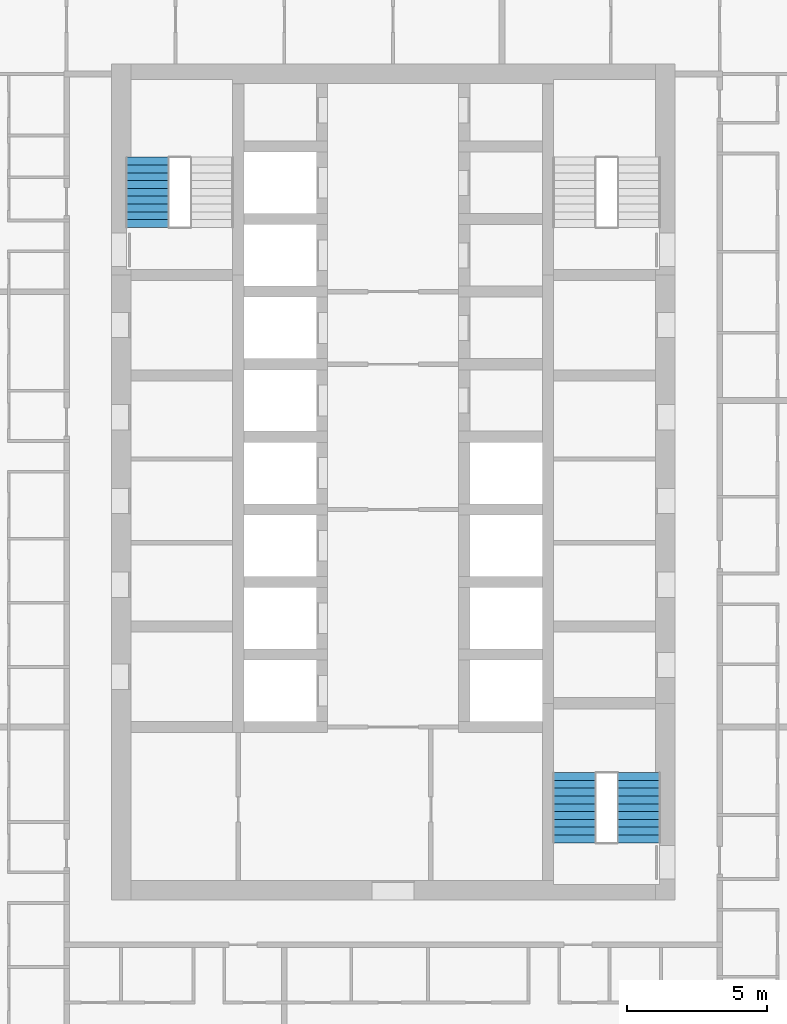
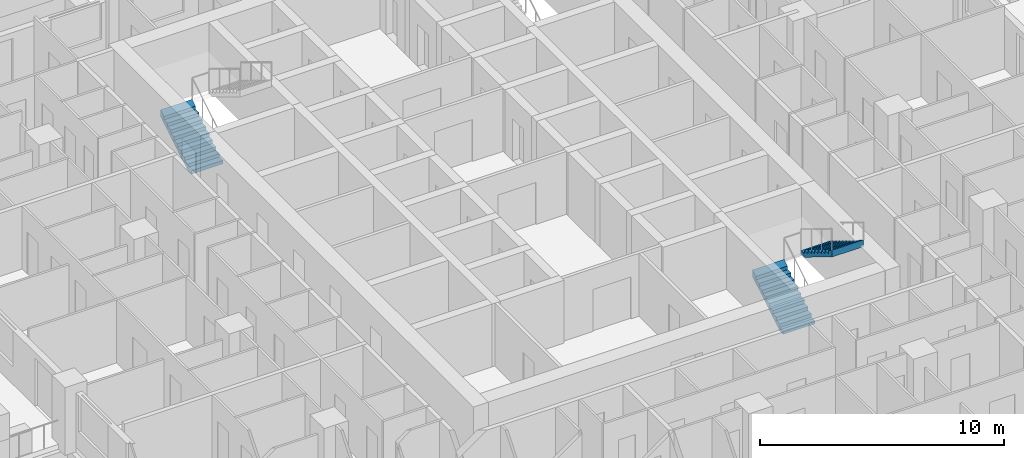
# One storey, part 15 of 18: 3 stair flights, 2 elements without a shape of their own.
"""IFC4 building model written with IfcOpenShell, lengths in metres."""

from ifc_helpers import new_model, si_unit, direction, frame, origin, place, context, subcontext, project, spatial, triangles, material, type_object, element, aggregate, save


model = new_model("IFC4")

# Units and contexts
model_context = context("Model", 3, precision=1e-05, world=origin(), true_north=direction((0.0, 1.0)))
body_context = subcontext(model_context, "Body", "Model", "MODEL_VIEW")
ifc_project = project(units=[si_unit("LENGTHUNIT", "METRE"), si_unit("AREAUNIT", "SQUARE_METRE"), si_unit("VOLUMEUNIT", "CUBIC_METRE"), si_unit("PLANEANGLEUNIT", "RADIAN"), si_unit("MASSUNIT", "GRAM", prefix="KILO")], contexts=[model_context])

# Site, building, storey
site_placement = place(None, origin())
site = spatial("IfcSite", under=ifc_project, at=site_placement, CompositionType="ELEMENT")
building_placement = place(site_placement, origin())
building = spatial("IfcBuilding", under=site, at=building_placement, Name="Ludao Terraces", CompositionType="ELEMENT")
storey_placement = place(building_placement, frame((0.0, 0.0, 29.699951171875)))
storey = spatial("IfcBuildingStorey", under=building, at=storey_placement, Name="L07", CompositionType="ELEMENT", Elevation=29.699951171875)

# Stair, stair flight
ifc_material = material(Name="Concrete C40", Category="concrete")
stair_type = type_object("IfcStairType", Name="INT Stair", PredefinedType="HALF_TURN_STAIR", material=ifc_material)
stair_1_placement = place(storey_placement, origin())
stair_1 = element("IfcStair", 1, at=stair_1_placement, inside=storey, type_object=stair_type, Name="EXIT STAIR 1", PredefinedType="HALF_TURN_STAIR")
stair_flight_type = type_object("IfcStairFlightType", Name="INT Stair flight", PredefinedType="STRAIGHT", material=ifc_material)
stair_flight_1_placement = place(storey_placement, frame((76.199951171875, 79.0, 0.0), z_axis=(0.0, 0.0, 1.0), x_axis=(0.0, 1.0, 0.0)))
stair_flight_1 = element("IfcStairFlight", 2, at=stair_flight_1_placement, type_object=stair_flight_type, Name="ST1 flight 1", NumberOfRisers=10, NumberOfTreads=9, PredefinedType="STRAIGHT", RiserHeight=0.17, TreadLength=0.28, context=body_context, shape_type="Tessellation", body=[
    triangles([(0.0, -0.75, 0.0), (0.0, -0.5, 0.0), (0.0, -0.25, 0.0), (0.0, 0.0, 0.0), (0.0, 0.25, 0.0), (0.0, 0.5, 0.0), (0.0, 0.75, 0.0), (0.0, -0.75, 0.169921875), (0.0, -0.5, 0.169921875), (0.0, -0.25, 0.169921875), (0.0, 0.0, 0.169921875), (0.0, 0.25, 0.169921875), (0.0, 0.5, 0.169921875), (0.0, 0.75, 0.169921875), (0.280029296875, -0.75, 0.169921875), (0.280029296875, -0.5, 0.169921875), (0.280029296875, -0.25, 0.169921875), (0.280029296875, 0.0, 0.169921875), (0.280029296875, 0.25, 0.169921875), (0.280029296875, 0.5, 0.169921875), (0.280029296875, 0.75, 0.169921875), (0.280029296875, -0.75, 0.340087890625), (0.280029296875, -0.5, 0.340087890625), (0.280029296875, -0.25, 0.340087890625), (0.280029296875, 0.0, 0.340087890625), (0.280029296875, 0.25, 0.340087890625), (0.280029296875, 0.5, 0.340087890625), (0.280029296875, 0.75, 0.340087890625), (0.56005859375, -0.75, 0.340087890625), (0.56005859375, -0.5, 0.340087890625), (0.56005859375, -0.25, 0.340087890625), (0.56005859375, 0.0, 0.340087890625), (0.56005859375, 0.25, 0.340087890625), (0.56005859375, 0.5, 0.340087890625), (0.56005859375, 0.75, 0.340087890625), (0.56005859375, -0.75, 0.510009765625), (0.56005859375, -0.5, 0.510009765625), (0.56005859375, -0.25, 0.510009765625), (0.56005859375, 0.0, 0.510009765625), (0.56005859375, 0.25, 0.510009765625), (0.56005859375, 0.5, 0.510009765625), (0.56005859375, 0.75, 0.510009765625), (0.840087890625, -0.75, 0.510009765625), (0.840087890625, -0.5, 0.510009765625), (0.840087890625, -0.25, 0.510009765625), (0.840087890625, 0.0, 0.510009765625), (0.840087890625, 0.25, 0.510009765625), (0.840087890625, 0.5, 0.510009765625), (0.840087890625, 0.75, 0.510009765625), (0.840087890625, -0.75, 0.679931640625), (0.840087890625, -0.5, 0.679931640625), (0.840087890625, -0.25, 0.679931640625), (0.840087890625, 0.0, 0.679931640625), (0.840087890625, 0.25, 0.679931640625), (0.840087890625, 0.5, 0.679931640625), (0.840087890625, 0.75, 0.679931640625), (1.1201171875, -0.75, 0.679931640625), (1.1201171875, -0.5, 0.679931640625), (1.1201171875, -0.25, 0.679931640625), (1.1201171875, 0.0, 0.679931640625), (1.1201171875, 0.25, 0.679931640625), (1.1201171875, 0.5, 0.679931640625), (1.1201171875, 0.75, 0.679931640625), (1.1201171875, -0.75, 0.85009765625), (1.1201171875, -0.5, 0.85009765625), (1.1201171875, -0.25, 0.85009765625), (1.1201171875, 0.0, 0.85009765625), (1.1201171875, 0.25, 0.85009765625), (1.1201171875, 0.5, 0.85009765625), (1.1201171875, 0.75, 0.85009765625), (1.39990234375, -0.75, 0.85009765625), (1.39990234375, -0.5, 0.85009765625), (1.39990234375, -0.25, 0.85009765625), (1.39990234375, 0.0, 0.85009765625), (1.39990234375, 0.25, 0.85009765625), (1.39990234375, 0.5, 0.85009765625), (1.39990234375, 0.75, 0.85009765625), (1.39990234375, -0.75, 1.02001953125), (1.39990234375, -0.5, 1.02001953125), (1.39990234375, -0.25, 1.02001953125), (1.39990234375, 0.0, 1.02001953125), (1.39990234375, 0.25, 1.02001953125), (1.39990234375, 0.5, 1.02001953125), (1.39990234375, 0.75, 1.02001953125), (1.679931640625, -0.75, 1.02001953125), (1.679931640625, -0.5, 1.02001953125), (1.679931640625, -0.25, 1.02001953125), (1.679931640625, 0.0, 1.02001953125), (1.679931640625, 0.25, 1.02001953125), (1.679931640625, 0.5, 1.02001953125), (1.679931640625, 0.75, 1.02001953125), (1.679931640625, -0.75, 1.18994140625), (1.679931640625, -0.5, 1.18994140625), (1.679931640625, -0.25, 1.18994140625), (1.679931640625, 0.0, 1.18994140625), (1.679931640625, 0.25, 1.18994140625), (1.679931640625, 0.5, 1.18994140625), (1.679931640625, 0.75, 1.18994140625), (1.9599609375, -0.75, 1.18994140625), (1.9599609375, -0.5, 1.18994140625), (1.9599609375, -0.25, 1.18994140625), (1.9599609375, 0.0, 1.18994140625), (1.9599609375, 0.25, 1.18994140625), (1.9599609375, 0.5, 1.18994140625), (1.9599609375, 0.75, 1.18994140625), (1.9599609375, -0.75, 1.360107421875), (1.9599609375, -0.5, 1.360107421875), (1.9599609375, -0.25, 1.360107421875), (1.9599609375, 0.0, 1.360107421875), (1.9599609375, 0.25, 1.360107421875), (1.9599609375, 0.5, 1.360107421875), (1.9599609375, 0.75, 1.360107421875), (2.239990234375, -0.75, 1.360107421875), (2.239990234375, -0.5, 1.360107421875), (2.239990234375, -0.25, 1.360107421875), (2.239990234375, 0.0, 1.360107421875), (2.239990234375, 0.25, 1.360107421875), (2.239990234375, 0.5, 1.360107421875), (2.239990234375, 0.75, 1.360107421875), (2.239990234375, -0.75, 1.530029296875), (2.239990234375, -0.5, 1.530029296875), (2.239990234375, -0.25, 1.530029296875), (2.239990234375, 0.0, 1.530029296875), (2.239990234375, 0.25, 1.530029296875), (2.239990234375, 0.5, 1.530029296875), (2.239990234375, 0.75, 1.530029296875), (2.52001953125, -0.75, 1.699951171875), (2.52001953125, -0.5, 1.699951171875), (2.52001953125, -0.25, 1.699951171875), (2.52001953125, 0.0, 1.699951171875), (2.52001953125, 0.25, 1.699951171875), (2.52001953125, 0.5, 1.699951171875), (2.52001953125, 0.75, 1.699951171875), (2.52001953125, -0.75, 1.354736328125), (2.52001953125, -0.5, 1.354736328125), (2.52001953125, -0.25, 1.354736328125), (2.52001953125, 0.0, 1.354736328125), (2.52001953125, 0.25, 1.354736328125), (2.52001953125, 0.5, 1.354736328125), (2.52001953125, 0.75, 1.354736328125), (0.288818359375, -0.75, 0.0), (0.288818359375, -0.5, 0.0), (0.288818359375, -0.25, 0.0), (0.288818359375, 0.0, 0.0), (0.288818359375, 0.25, 0.0), (0.288818359375, 0.5, 0.0), (0.288818359375, 0.75, 0.0)], [[1, 141, 134], [7, 140, 147], [134, 127, 120], [140, 126, 133], [134, 120, 113], [140, 119, 126], [134, 113, 106], [140, 112, 119], [134, 106, 99], [140, 105, 112], [99, 92, 85], [105, 91, 98], [134, 99, 85], [140, 91, 105], [85, 78, 71], [91, 77, 84], [134, 85, 71], [140, 77, 91], [71, 64, 57], [77, 63, 70], [134, 71, 57], [140, 63, 77], [57, 50, 43], [63, 49, 56], [134, 57, 43], [140, 49, 63], [43, 36, 29], [49, 35, 42], [134, 43, 29], [140, 35, 49], [29, 22, 15], [35, 21, 28], [134, 29, 15], [140, 21, 35], [1, 134, 15], [7, 21, 140], [15, 8, 1], [21, 7, 14], [1, 9, 2], [1, 8, 9], [2, 10, 3], [2, 9, 10], [3, 11, 4], [3, 10, 11], [4, 12, 5], [4, 11, 12], [5, 13, 6], [5, 12, 13], [6, 14, 7], [6, 13, 14], [8, 16, 9], [8, 15, 16], [9, 17, 10], [9, 16, 17], [10, 18, 11], [10, 17, 18], [11, 19, 12], [11, 18, 19], [12, 20, 13], [12, 19, 20], [13, 21, 14], [13, 20, 21], [15, 23, 16], [15, 22, 23], [16, 24, 17], [16, 23, 24], [17, 25, 18], [17, 24, 25], [18, 26, 19], [18, 25, 26], [19, 27, 20], [19, 26, 27], [20, 28, 21], [20, 27, 28], [22, 30, 23], [22, 29, 30], [23, 31, 24], [23, 30, 31], [24, 32, 25], [24, 31, 32], [25, 33, 26], [25, 32, 33], [26, 34, 27], [26, 33, 34], [27, 35, 28], [27, 34, 35], [29, 37, 30], [29, 36, 37], [30, 38, 31], [30, 37, 38], [31, 39, 32], [31, 38, 39], [32, 40, 33], [32, 39, 40], [33, 41, 34], [33, 40, 41], [34, 42, 35], [34, 41, 42], [36, 44, 37], [36, 43, 44], [37, 45, 38], [37, 44, 45], [38, 46, 39], [38, 45, 46], [39, 47, 40], [39, 46, 47], [40, 48, 41], [40, 47, 48], [41, 49, 42], [41, 48, 49], [43, 51, 44], [43, 50, 51], [44, 52, 45], [44, 51, 52], [45, 53, 46], [45, 52, 53], [46, 54, 47], [46, 53, 54], [47, 55, 48], [47, 54, 55], [48, 56, 49], [48, 55, 56], [50, 58, 51], [50, 57, 58], [51, 59, 52], [51, 58, 59], [52, 60, 53], [52, 59, 60], [53, 61, 54], [53, 60, 61], [54, 62, 55], [54, 61, 62], [55, 63, 56], [55, 62, 63], [57, 65, 58], [57, 64, 65], [58, 66, 59], [58, 65, 66], [59, 67, 60], [59, 66, 67], [60, 68, 61], [60, 67, 68], [61, 69, 62], [61, 68, 69], [62, 70, 63], [62, 69, 70], [64, 72, 65], [64, 71, 72], [65, 73, 66], [65, 72, 73], [66, 74, 67], [66, 73, 74], [67, 75, 68], [67, 74, 75], [68, 76, 69], [68, 75, 76], [69, 77, 70], [69, 76, 77], [71, 79, 72], [71, 78, 79], [72, 80, 73], [72, 79, 80], [73, 81, 74], [73, 80, 81], [74, 82, 75], [74, 81, 82], [75, 83, 76], [75, 82, 83], [76, 84, 77], [76, 83, 84], [78, 86, 79], [78, 85, 86], [79, 87, 80], [79, 86, 87], [80, 88, 81], [80, 87, 88], [81, 89, 82], [81, 88, 89], [82, 90, 83], [82, 89, 90], [83, 91, 84], [83, 90, 91], [85, 93, 86], [85, 92, 93], [86, 94, 87], [86, 93, 94], [87, 95, 88], [87, 94, 95], [88, 96, 89], [88, 95, 96], [89, 97, 90], [89, 96, 97], [90, 98, 91], [90, 97, 98], [92, 100, 93], [92, 99, 100], [93, 101, 94], [93, 100, 101], [94, 102, 95], [94, 101, 102], [95, 103, 96], [95, 102, 103], [96, 104, 97], [96, 103, 104], [97, 105, 98], [97, 104, 105], [99, 107, 100], [99, 106, 107], [100, 108, 101], [100, 107, 108], [101, 109, 102], [101, 108, 109], [102, 110, 103], [102, 109, 110], [103, 111, 104], [103, 110, 111], [104, 112, 105], [104, 111, 112], [106, 114, 107], [106, 113, 114], [107, 115, 108], [107, 114, 115], [108, 116, 109], [108, 115, 116], [109, 117, 110], [109, 116, 117], [110, 118, 111], [110, 117, 118], [111, 119, 112], [111, 118, 119], [113, 121, 114], [113, 120, 121], [114, 122, 115], [114, 121, 122], [115, 123, 116], [115, 122, 123], [116, 124, 117], [116, 123, 124], [117, 125, 118], [117, 124, 125], [118, 126, 119], [118, 125, 126], [120, 128, 121], [120, 127, 128], [121, 129, 122], [121, 128, 129], [122, 130, 123], [122, 129, 130], [123, 131, 124], [123, 130, 131], [124, 132, 125], [124, 131, 132], [125, 133, 126], [125, 132, 133], [127, 135, 128], [127, 134, 135], [128, 136, 129], [128, 135, 136], [129, 137, 130], [129, 136, 137], [130, 138, 131], [130, 137, 138], [131, 139, 132], [131, 138, 139], [132, 140, 133], [132, 139, 140], [134, 142, 135], [134, 141, 142], [135, 143, 136], [135, 142, 143], [136, 144, 137], [136, 143, 144], [137, 145, 138], [137, 144, 145], [138, 146, 139], [138, 145, 146], [139, 147, 140], [139, 146, 147], [141, 2, 142], [141, 1, 2], [142, 3, 143], [142, 2, 3], [143, 4, 144], [143, 3, 4], [144, 5, 145], [144, 4, 5], [145, 6, 146], [145, 5, 6], [146, 7, 147], [146, 6, 7]], closed=True),
])
aggregate(stair_1, [stair_flight_1])

# Stair, stair flights
stair_2_placement = place(storey_placement, origin())
stair_2 = element("IfcStair", 3, at=stair_2_placement, inside=storey, type_object=stair_type, Name="EXIT STAIR 3", PredefinedType="HALF_TURN_STAIR")
stair_flight_2_placement = place(storey_placement, frame((91.5, 56.949951171875, 0.0), z_axis=(0.0, 0.0, 1.0), x_axis=(0.0, 1.0, 0.0)))
stair_flight_2 = element("IfcStairFlight", 4, at=stair_flight_2_placement, type_object=stair_flight_type, Name="ST3 flight 1", NumberOfRisers=10, NumberOfTreads=9, PredefinedType="STRAIGHT", RiserHeight=0.17, TreadLength=0.28, context=body_context, shape_type="Tessellation", body=[
    triangles([(0.0, -0.75, 0.0), (0.0, -0.5, 0.0), (0.0, -0.25, 0.0), (0.0, 0.0, 0.0), (0.0, 0.25, 0.0), (0.0, 0.5, 0.0), (0.0, 0.75, 0.0), (0.0, -0.75, 0.169921875), (0.0, -0.5, 0.169921875), (0.0, -0.25, 0.169921875), (0.0, 0.0, 0.169921875), (0.0, 0.25, 0.169921875), (0.0, 0.5, 0.169921875), (0.0, 0.75, 0.169921875), (0.280029296875, -0.75, 0.169921875), (0.280029296875, -0.5, 0.169921875), (0.280029296875, -0.25, 0.169921875), (0.280029296875, 0.0, 0.169921875), (0.280029296875, 0.25, 0.169921875), (0.280029296875, 0.5, 0.169921875), (0.280029296875, 0.75, 0.169921875), (0.280029296875, -0.75, 0.340087890625), (0.280029296875, -0.5, 0.340087890625), (0.280029296875, -0.25, 0.340087890625), (0.280029296875, 0.0, 0.340087890625), (0.280029296875, 0.25, 0.340087890625), (0.280029296875, 0.5, 0.340087890625), (0.280029296875, 0.75, 0.340087890625), (0.56005859375, -0.75, 0.340087890625), (0.56005859375, -0.5, 0.340087890625), (0.56005859375, -0.25, 0.340087890625), (0.56005859375, 0.0, 0.340087890625), (0.56005859375, 0.25, 0.340087890625), (0.56005859375, 0.5, 0.340087890625), (0.56005859375, 0.75, 0.340087890625), (0.56005859375, -0.75, 0.510009765625), (0.56005859375, -0.5, 0.510009765625), (0.56005859375, -0.25, 0.510009765625), (0.56005859375, 0.0, 0.510009765625), (0.56005859375, 0.25, 0.510009765625), (0.56005859375, 0.5, 0.510009765625), (0.56005859375, 0.75, 0.510009765625), (0.840087890625, -0.75, 0.510009765625), (0.840087890625, -0.5, 0.510009765625), (0.840087890625, -0.25, 0.510009765625), (0.840087890625, 0.0, 0.510009765625), (0.840087890625, 0.25, 0.510009765625), (0.840087890625, 0.5, 0.510009765625), (0.840087890625, 0.75, 0.510009765625), (0.840087890625, -0.75, 0.679931640625), (0.840087890625, -0.5, 0.679931640625), (0.840087890625, -0.25, 0.679931640625), (0.840087890625, 0.0, 0.679931640625), (0.840087890625, 0.25, 0.679931640625), (0.840087890625, 0.5, 0.679931640625), (0.840087890625, 0.75, 0.679931640625), (1.1201171875, -0.75, 0.679931640625), (1.1201171875, -0.5, 0.679931640625), (1.1201171875, -0.25, 0.679931640625), (1.1201171875, 0.0, 0.679931640625), (1.1201171875, 0.25, 0.679931640625), (1.1201171875, 0.5, 0.679931640625), (1.1201171875, 0.75, 0.679931640625), (1.1201171875, -0.75, 0.85009765625), (1.1201171875, -0.5, 0.85009765625), (1.1201171875, -0.25, 0.85009765625), (1.1201171875, 0.0, 0.85009765625), (1.1201171875, 0.25, 0.85009765625), (1.1201171875, 0.5, 0.85009765625), (1.1201171875, 0.75, 0.85009765625), (1.39990234375, -0.75, 0.85009765625), (1.39990234375, -0.5, 0.85009765625), (1.39990234375, -0.25, 0.85009765625), (1.39990234375, 0.0, 0.85009765625), (1.39990234375, 0.25, 0.85009765625), (1.39990234375, 0.5, 0.85009765625), (1.39990234375, 0.75, 0.85009765625), (1.39990234375, -0.75, 1.02001953125), (1.39990234375, -0.5, 1.02001953125), (1.39990234375, -0.25, 1.02001953125), (1.39990234375, 0.0, 1.02001953125), (1.39990234375, 0.25, 1.02001953125), (1.39990234375, 0.5, 1.02001953125), (1.39990234375, 0.75, 1.02001953125), (1.679931640625, -0.75, 1.02001953125), (1.679931640625, -0.5, 1.02001953125), (1.679931640625, -0.25, 1.02001953125), (1.679931640625, 0.0, 1.02001953125), (1.679931640625, 0.25, 1.02001953125), (1.679931640625, 0.5, 1.02001953125), (1.679931640625, 0.75, 1.02001953125), (1.679931640625, -0.75, 1.18994140625), (1.679931640625, -0.5, 1.18994140625), (1.679931640625, -0.25, 1.18994140625), (1.679931640625, 0.0, 1.18994140625), (1.679931640625, 0.25, 1.18994140625), (1.679931640625, 0.5, 1.18994140625), (1.679931640625, 0.75, 1.18994140625), (1.9599609375, -0.75, 1.18994140625), (1.9599609375, -0.5, 1.18994140625), (1.9599609375, -0.25, 1.18994140625), (1.9599609375, 0.0, 1.18994140625), (1.9599609375, 0.25, 1.18994140625), (1.9599609375, 0.5, 1.18994140625), (1.9599609375, 0.75, 1.18994140625), (1.9599609375, -0.75, 1.360107421875), (1.9599609375, -0.5, 1.360107421875), (1.9599609375, -0.25, 1.360107421875), (1.9599609375, 0.0, 1.360107421875), (1.9599609375, 0.25, 1.360107421875), (1.9599609375, 0.5, 1.360107421875), (1.9599609375, 0.75, 1.360107421875), (2.239990234375, -0.75, 1.360107421875), (2.239990234375, -0.5, 1.360107421875), (2.239990234375, -0.25, 1.360107421875), (2.239990234375, 0.0, 1.360107421875), (2.239990234375, 0.25, 1.360107421875), (2.239990234375, 0.5, 1.360107421875), (2.239990234375, 0.75, 1.360107421875), (2.239990234375, -0.75, 1.530029296875), (2.239990234375, -0.5, 1.530029296875), (2.239990234375, -0.25, 1.530029296875), (2.239990234375, 0.0, 1.530029296875), (2.239990234375, 0.25, 1.530029296875), (2.239990234375, 0.5, 1.530029296875), (2.239990234375, 0.75, 1.530029296875), (2.52001953125, -0.75, 1.699951171875), (2.52001953125, -0.5, 1.699951171875), (2.52001953125, -0.25, 1.699951171875), (2.52001953125, 0.0, 1.699951171875), (2.52001953125, 0.25, 1.699951171875), (2.52001953125, 0.5, 1.699951171875), (2.52001953125, 0.75, 1.699951171875), (2.52001953125, -0.75, 1.354736328125), (2.52001953125, -0.5, 1.354736328125), (2.52001953125, -0.25, 1.354736328125), (2.52001953125, 0.0, 1.354736328125), (2.52001953125, 0.25, 1.354736328125), (2.52001953125, 0.5, 1.354736328125), (2.52001953125, 0.75, 1.354736328125), (0.288818359375, -0.75, 0.0), (0.288818359375, -0.5, 0.0), (0.288818359375, -0.25, 0.0), (0.288818359375, 0.0, 0.0), (0.288818359375, 0.25, 0.0), (0.288818359375, 0.5, 0.0), (0.288818359375, 0.75, 0.0)], [[1, 141, 134], [7, 140, 147], [134, 127, 120], [140, 126, 133], [134, 120, 113], [140, 119, 126], [134, 113, 106], [140, 112, 119], [134, 106, 99], [140, 105, 112], [99, 92, 85], [105, 91, 98], [134, 99, 85], [140, 91, 105], [85, 78, 71], [91, 77, 84], [134, 85, 71], [140, 77, 91], [71, 64, 57], [77, 63, 70], [134, 71, 57], [140, 63, 77], [57, 50, 43], [63, 49, 56], [134, 57, 43], [140, 49, 63], [43, 36, 29], [49, 35, 42], [134, 43, 29], [140, 35, 49], [29, 22, 15], [35, 21, 28], [134, 29, 15], [140, 21, 35], [1, 134, 15], [7, 21, 140], [15, 8, 1], [21, 7, 14], [1, 9, 2], [1, 8, 9], [2, 10, 3], [2, 9, 10], [3, 11, 4], [3, 10, 11], [4, 12, 5], [4, 11, 12], [5, 13, 6], [5, 12, 13], [6, 14, 7], [6, 13, 14], [8, 16, 9], [8, 15, 16], [9, 17, 10], [9, 16, 17], [10, 18, 11], [10, 17, 18], [11, 19, 12], [11, 18, 19], [12, 20, 13], [12, 19, 20], [13, 21, 14], [13, 20, 21], [15, 23, 16], [15, 22, 23], [16, 24, 17], [16, 23, 24], [17, 25, 18], [17, 24, 25], [18, 26, 19], [18, 25, 26], [19, 27, 20], [19, 26, 27], [20, 28, 21], [20, 27, 28], [22, 30, 23], [22, 29, 30], [23, 31, 24], [23, 30, 31], [24, 32, 25], [24, 31, 32], [25, 33, 26], [25, 32, 33], [26, 34, 27], [26, 33, 34], [27, 35, 28], [27, 34, 35], [29, 37, 30], [29, 36, 37], [30, 38, 31], [30, 37, 38], [31, 39, 32], [31, 38, 39], [32, 40, 33], [32, 39, 40], [33, 41, 34], [33, 40, 41], [34, 42, 35], [34, 41, 42], [36, 44, 37], [36, 43, 44], [37, 45, 38], [37, 44, 45], [38, 46, 39], [38, 45, 46], [39, 47, 40], [39, 46, 47], [40, 48, 41], [40, 47, 48], [41, 49, 42], [41, 48, 49], [43, 51, 44], [43, 50, 51], [44, 52, 45], [44, 51, 52], [45, 53, 46], [45, 52, 53], [46, 54, 47], [46, 53, 54], [47, 55, 48], [47, 54, 55], [48, 56, 49], [48, 55, 56], [50, 58, 51], [50, 57, 58], [51, 59, 52], [51, 58, 59], [52, 60, 53], [52, 59, 60], [53, 61, 54], [53, 60, 61], [54, 62, 55], [54, 61, 62], [55, 63, 56], [55, 62, 63], [57, 65, 58], [57, 64, 65], [58, 66, 59], [58, 65, 66], [59, 67, 60], [59, 66, 67], [60, 68, 61], [60, 67, 68], [61, 69, 62], [61, 68, 69], [62, 70, 63], [62, 69, 70], [64, 72, 65], [64, 71, 72], [65, 73, 66], [65, 72, 73], [66, 74, 67], [66, 73, 74], [67, 75, 68], [67, 74, 75], [68, 76, 69], [68, 75, 76], [69, 77, 70], [69, 76, 77], [71, 79, 72], [71, 78, 79], [72, 80, 73], [72, 79, 80], [73, 81, 74], [73, 80, 81], [74, 82, 75], [74, 81, 82], [75, 83, 76], [75, 82, 83], [76, 84, 77], [76, 83, 84], [78, 86, 79], [78, 85, 86], [79, 87, 80], [79, 86, 87], [80, 88, 81], [80, 87, 88], [81, 89, 82], [81, 88, 89], [82, 90, 83], [82, 89, 90], [83, 91, 84], [83, 90, 91], [85, 93, 86], [85, 92, 93], [86, 94, 87], [86, 93, 94], [87, 95, 88], [87, 94, 95], [88, 96, 89], [88, 95, 96], [89, 97, 90], [89, 96, 97], [90, 98, 91], [90, 97, 98], [92, 100, 93], [92, 99, 100], [93, 101, 94], [93, 100, 101], [94, 102, 95], [94, 101, 102], [95, 103, 96], [95, 102, 103], [96, 104, 97], [96, 103, 104], [97, 105, 98], [97, 104, 105], [99, 107, 100], [99, 106, 107], [100, 108, 101], [100, 107, 108], [101, 109, 102], [101, 108, 109], [102, 110, 103], [102, 109, 110], [103, 111, 104], [103, 110, 111], [104, 112, 105], [104, 111, 112], [106, 114, 107], [106, 113, 114], [107, 115, 108], [107, 114, 115], [108, 116, 109], [108, 115, 116], [109, 117, 110], [109, 116, 117], [110, 118, 111], [110, 117, 118], [111, 119, 112], [111, 118, 119], [113, 121, 114], [113, 120, 121], [114, 122, 115], [114, 121, 122], [115, 123, 116], [115, 122, 123], [116, 124, 117], [116, 123, 124], [117, 125, 118], [117, 124, 125], [118, 126, 119], [118, 125, 126], [120, 128, 121], [120, 127, 128], [121, 129, 122], [121, 128, 129], [122, 130, 123], [122, 129, 130], [123, 131, 124], [123, 130, 131], [124, 132, 125], [124, 131, 132], [125, 133, 126], [125, 132, 133], [127, 135, 128], [127, 134, 135], [128, 136, 129], [128, 135, 136], [129, 137, 130], [129, 136, 137], [130, 138, 131], [130, 137, 138], [131, 139, 132], [131, 138, 139], [132, 140, 133], [132, 139, 140], [134, 142, 135], [134, 141, 142], [135, 143, 136], [135, 142, 143], [136, 144, 137], [136, 143, 144], [137, 145, 138], [137, 144, 145], [138, 146, 139], [138, 145, 146], [139, 147, 140], [139, 146, 147], [141, 2, 142], [141, 1, 2], [142, 3, 143], [142, 2, 3], [143, 4, 144], [143, 3, 4], [144, 5, 145], [144, 4, 5], [145, 6, 146], [145, 5, 6], [146, 7, 147], [146, 6, 7]], closed=True),
])
stair_flight_3_placement = place(storey_placement, frame((93.800048828125, 59.469970703125, 1.699951171875), z_axis=(0.0, 0.0, 1.0), x_axis=(0.0, -1.0, 0.0)))
stair_flight_3 = element("IfcStairFlight", 5, at=stair_flight_3_placement, type_object=stair_flight_type, Name="ST3 flight 2", NumberOfRisers=10, NumberOfTreads=9, PredefinedType="STRAIGHT", RiserHeight=0.17, TreadLength=0.28, context=body_context, shape_type="Tessellation", body=[
    triangles([(0.0, -0.75, 0.0), (0.0, -0.5, 0.0), (0.0, -0.25, 0.0), (0.0, 0.0, 0.0), (0.0, 0.25, 0.0), (0.0, 0.5, 0.0), (0.0, 0.75, 0.0), (0.0, -0.75, 0.169921875), (0.0, -0.5, 0.169921875), (0.0, -0.25, 0.169921875), (0.0, 0.0, 0.169921875), (0.0, 0.25, 0.169921875), (0.0, 0.5, 0.169921875), (0.0, 0.75, 0.169921875), (0.280029296875, -0.75, 0.169921875), (0.280029296875, -0.5, 0.169921875), (0.280029296875, -0.25, 0.169921875), (0.280029296875, 0.0, 0.169921875), (0.280029296875, 0.25, 0.169921875), (0.280029296875, 0.5, 0.169921875), (0.280029296875, 0.75, 0.169921875), (0.280029296875, -0.75, 0.340087890625), (0.280029296875, -0.5, 0.340087890625), (0.280029296875, -0.25, 0.340087890625), (0.280029296875, 0.0, 0.340087890625), (0.280029296875, 0.25, 0.340087890625), (0.280029296875, 0.5, 0.340087890625), (0.280029296875, 0.75, 0.340087890625), (0.56005859375, -0.75, 0.340087890625), (0.56005859375, -0.5, 0.340087890625), (0.56005859375, -0.25, 0.340087890625), (0.56005859375, 0.0, 0.340087890625), (0.56005859375, 0.25, 0.340087890625), (0.56005859375, 0.5, 0.340087890625), (0.56005859375, 0.75, 0.340087890625), (0.56005859375, -0.75, 0.510009765625), (0.56005859375, -0.5, 0.510009765625), (0.56005859375, -0.25, 0.510009765625), (0.56005859375, 0.0, 0.510009765625), (0.56005859375, 0.25, 0.510009765625), (0.56005859375, 0.5, 0.510009765625), (0.56005859375, 0.75, 0.510009765625), (0.840087890625, -0.75, 0.510009765625), (0.840087890625, -0.5, 0.510009765625), (0.840087890625, -0.25, 0.510009765625), (0.840087890625, 0.0, 0.510009765625), (0.840087890625, 0.25, 0.510009765625), (0.840087890625, 0.5, 0.510009765625), (0.840087890625, 0.75, 0.510009765625), (0.840087890625, -0.75, 0.679931640625), (0.840087890625, -0.5, 0.679931640625), (0.840087890625, -0.25, 0.679931640625), (0.840087890625, 0.0, 0.679931640625), (0.840087890625, 0.25, 0.679931640625), (0.840087890625, 0.5, 0.679931640625), (0.840087890625, 0.75, 0.679931640625), (1.1201171875, -0.75, 0.679931640625), (1.1201171875, -0.5, 0.679931640625), (1.1201171875, -0.25, 0.679931640625), (1.1201171875, 0.0, 0.679931640625), (1.1201171875, 0.25, 0.679931640625), (1.1201171875, 0.5, 0.679931640625), (1.1201171875, 0.75, 0.679931640625), (1.1201171875, -0.75, 0.85009765625), (1.1201171875, -0.5, 0.85009765625), (1.1201171875, -0.25, 0.85009765625), (1.1201171875, 0.0, 0.85009765625), (1.1201171875, 0.25, 0.85009765625), (1.1201171875, 0.5, 0.85009765625), (1.1201171875, 0.75, 0.85009765625), (1.39990234375, -0.75, 0.85009765625), (1.39990234375, -0.5, 0.85009765625), (1.39990234375, -0.25, 0.85009765625), (1.39990234375, 0.0, 0.85009765625), (1.39990234375, 0.25, 0.85009765625), (1.39990234375, 0.5, 0.85009765625), (1.39990234375, 0.75, 0.85009765625), (1.39990234375, -0.75, 1.02001953125), (1.39990234375, -0.5, 1.02001953125), (1.39990234375, -0.25, 1.02001953125), (1.39990234375, 0.0, 1.02001953125), (1.39990234375, 0.25, 1.02001953125), (1.39990234375, 0.5, 1.02001953125), (1.39990234375, 0.75, 1.02001953125), (1.679931640625, -0.75, 1.02001953125), (1.679931640625, -0.5, 1.02001953125), (1.679931640625, -0.25, 1.02001953125), (1.679931640625, 0.0, 1.02001953125), (1.679931640625, 0.25, 1.02001953125), (1.679931640625, 0.5, 1.02001953125), (1.679931640625, 0.75, 1.02001953125), (1.679931640625, -0.75, 1.18994140625), (1.679931640625, -0.5, 1.18994140625), (1.679931640625, -0.25, 1.18994140625), (1.679931640625, 0.0, 1.18994140625), (1.679931640625, 0.25, 1.18994140625), (1.679931640625, 0.5, 1.18994140625), (1.679931640625, 0.75, 1.18994140625), (1.9599609375, -0.75, 1.18994140625), (1.9599609375, -0.5, 1.18994140625), (1.9599609375, -0.25, 1.18994140625), (1.9599609375, 0.0, 1.18994140625), (1.9599609375, 0.25, 1.18994140625), (1.9599609375, 0.5, 1.18994140625), (1.9599609375, 0.75, 1.18994140625), (1.9599609375, -0.75, 1.360107421875), (1.9599609375, -0.5, 1.360107421875), (1.9599609375, -0.25, 1.360107421875), (1.9599609375, 0.0, 1.360107421875), (1.9599609375, 0.25, 1.360107421875), (1.9599609375, 0.5, 1.360107421875), (1.9599609375, 0.75, 1.360107421875), (2.239990234375, -0.75, 1.360107421875), (2.239990234375, -0.5, 1.360107421875), (2.239990234375, -0.25, 1.360107421875), (2.239990234375, 0.0, 1.360107421875), (2.239990234375, 0.25, 1.360107421875), (2.239990234375, 0.5, 1.360107421875), (2.239990234375, 0.75, 1.360107421875), (2.239990234375, -0.75, 1.530029296875), (2.239990234375, -0.5, 1.530029296875), (2.239990234375, -0.25, 1.530029296875), (2.239990234375, 0.0, 1.530029296875), (2.239990234375, 0.25, 1.530029296875), (2.239990234375, 0.5, 1.530029296875), (2.239990234375, 0.75, 1.530029296875), (2.52001953125, -0.75, 1.699951171875), (2.52001953125, -0.5, 1.699951171875), (2.52001953125, -0.25, 1.699951171875), (2.52001953125, 0.0, 1.699951171875), (2.52001953125, 0.25, 1.699951171875), (2.52001953125, 0.5, 1.699951171875), (2.52001953125, 0.75, 1.699951171875), (2.52001953125, -0.75, 1.354736328125), (2.52001953125, -0.5, 1.354736328125), (2.52001953125, -0.25, 1.354736328125), (2.52001953125, 0.0, 1.354736328125), (2.52001953125, 0.25, 1.354736328125), (2.52001953125, 0.5, 1.354736328125), (2.52001953125, 0.75, 1.354736328125), (0.288818359375, -0.75, 0.0), (0.288818359375, -0.5, 0.0), (0.288818359375, -0.25, 0.0), (0.288818359375, 0.0, 0.0), (0.288818359375, 0.25, 0.0), (0.288818359375, 0.5, 0.0), (0.288818359375, 0.75, 0.0)], [[1, 141, 134], [7, 140, 147], [134, 127, 120], [140, 126, 133], [134, 120, 113], [140, 119, 126], [134, 113, 106], [140, 112, 119], [134, 106, 99], [140, 105, 112], [99, 92, 85], [105, 91, 98], [134, 99, 85], [140, 91, 105], [85, 78, 71], [91, 77, 84], [134, 85, 71], [140, 77, 91], [71, 64, 57], [77, 63, 70], [134, 71, 57], [140, 63, 77], [57, 50, 43], [63, 49, 56], [134, 57, 43], [140, 49, 63], [43, 36, 29], [49, 35, 42], [134, 43, 29], [140, 35, 49], [29, 22, 15], [35, 21, 28], [134, 29, 15], [140, 21, 35], [1, 134, 15], [7, 21, 140], [15, 8, 1], [21, 7, 14], [1, 9, 2], [1, 8, 9], [2, 10, 3], [2, 9, 10], [3, 11, 4], [3, 10, 11], [4, 12, 5], [4, 11, 12], [5, 13, 6], [5, 12, 13], [6, 14, 7], [6, 13, 14], [8, 16, 9], [8, 15, 16], [9, 17, 10], [9, 16, 17], [10, 18, 11], [10, 17, 18], [11, 19, 12], [11, 18, 19], [12, 20, 13], [12, 19, 20], [13, 21, 14], [13, 20, 21], [15, 23, 16], [15, 22, 23], [16, 24, 17], [16, 23, 24], [17, 25, 18], [17, 24, 25], [18, 26, 19], [18, 25, 26], [19, 27, 20], [19, 26, 27], [20, 28, 21], [20, 27, 28], [22, 30, 23], [22, 29, 30], [23, 31, 24], [23, 30, 31], [24, 32, 25], [24, 31, 32], [25, 33, 26], [25, 32, 33], [26, 34, 27], [26, 33, 34], [27, 35, 28], [27, 34, 35], [29, 37, 30], [29, 36, 37], [30, 38, 31], [30, 37, 38], [31, 39, 32], [31, 38, 39], [32, 40, 33], [32, 39, 40], [33, 41, 34], [33, 40, 41], [34, 42, 35], [34, 41, 42], [36, 44, 37], [36, 43, 44], [37, 45, 38], [37, 44, 45], [38, 46, 39], [38, 45, 46], [39, 47, 40], [39, 46, 47], [40, 48, 41], [40, 47, 48], [41, 49, 42], [41, 48, 49], [43, 51, 44], [43, 50, 51], [44, 52, 45], [44, 51, 52], [45, 53, 46], [45, 52, 53], [46, 54, 47], [46, 53, 54], [47, 55, 48], [47, 54, 55], [48, 56, 49], [48, 55, 56], [50, 58, 51], [50, 57, 58], [51, 59, 52], [51, 58, 59], [52, 60, 53], [52, 59, 60], [53, 61, 54], [53, 60, 61], [54, 62, 55], [54, 61, 62], [55, 63, 56], [55, 62, 63], [57, 65, 58], [57, 64, 65], [58, 66, 59], [58, 65, 66], [59, 67, 60], [59, 66, 67], [60, 68, 61], [60, 67, 68], [61, 69, 62], [61, 68, 69], [62, 70, 63], [62, 69, 70], [64, 72, 65], [64, 71, 72], [65, 73, 66], [65, 72, 73], [66, 74, 67], [66, 73, 74], [67, 75, 68], [67, 74, 75], [68, 76, 69], [68, 75, 76], [69, 77, 70], [69, 76, 77], [71, 79, 72], [71, 78, 79], [72, 80, 73], [72, 79, 80], [73, 81, 74], [73, 80, 81], [74, 82, 75], [74, 81, 82], [75, 83, 76], [75, 82, 83], [76, 84, 77], [76, 83, 84], [78, 86, 79], [78, 85, 86], [79, 87, 80], [79, 86, 87], [80, 88, 81], [80, 87, 88], [81, 89, 82], [81, 88, 89], [82, 90, 83], [82, 89, 90], [83, 91, 84], [83, 90, 91], [85, 93, 86], [85, 92, 93], [86, 94, 87], [86, 93, 94], [87, 95, 88], [87, 94, 95], [88, 96, 89], [88, 95, 96], [89, 97, 90], [89, 96, 97], [90, 98, 91], [90, 97, 98], [92, 100, 93], [92, 99, 100], [93, 101, 94], [93, 100, 101], [94, 102, 95], [94, 101, 102], [95, 103, 96], [95, 102, 103], [96, 104, 97], [96, 103, 104], [97, 105, 98], [97, 104, 105], [99, 107, 100], [99, 106, 107], [100, 108, 101], [100, 107, 108], [101, 109, 102], [101, 108, 109], [102, 110, 103], [102, 109, 110], [103, 111, 104], [103, 110, 111], [104, 112, 105], [104, 111, 112], [106, 114, 107], [106, 113, 114], [107, 115, 108], [107, 114, 115], [108, 116, 109], [108, 115, 116], [109, 117, 110], [109, 116, 117], [110, 118, 111], [110, 117, 118], [111, 119, 112], [111, 118, 119], [113, 121, 114], [113, 120, 121], [114, 122, 115], [114, 121, 122], [115, 123, 116], [115, 122, 123], [116, 124, 117], [116, 123, 124], [117, 125, 118], [117, 124, 125], [118, 126, 119], [118, 125, 126], [120, 128, 121], [120, 127, 128], [121, 129, 122], [121, 128, 129], [122, 130, 123], [122, 129, 130], [123, 131, 124], [123, 130, 131], [124, 132, 125], [124, 131, 132], [125, 133, 126], [125, 132, 133], [127, 135, 128], [127, 134, 135], [128, 136, 129], [128, 135, 136], [129, 137, 130], [129, 136, 137], [130, 138, 131], [130, 137, 138], [131, 139, 132], [131, 138, 139], [132, 140, 133], [132, 139, 140], [134, 142, 135], [134, 141, 142], [135, 143, 136], [135, 142, 143], [136, 144, 137], [136, 143, 144], [137, 145, 138], [137, 144, 145], [138, 146, 139], [138, 145, 146], [139, 147, 140], [139, 146, 147], [141, 2, 142], [141, 1, 2], [142, 3, 143], [142, 2, 3], [143, 4, 144], [143, 3, 4], [144, 5, 145], [144, 4, 5], [145, 6, 146], [145, 5, 6], [146, 7, 147], [146, 6, 7]], closed=True),
])
aggregate(stair_2, [stair_flight_2, stair_flight_3])

save(model, "model.ifc")
